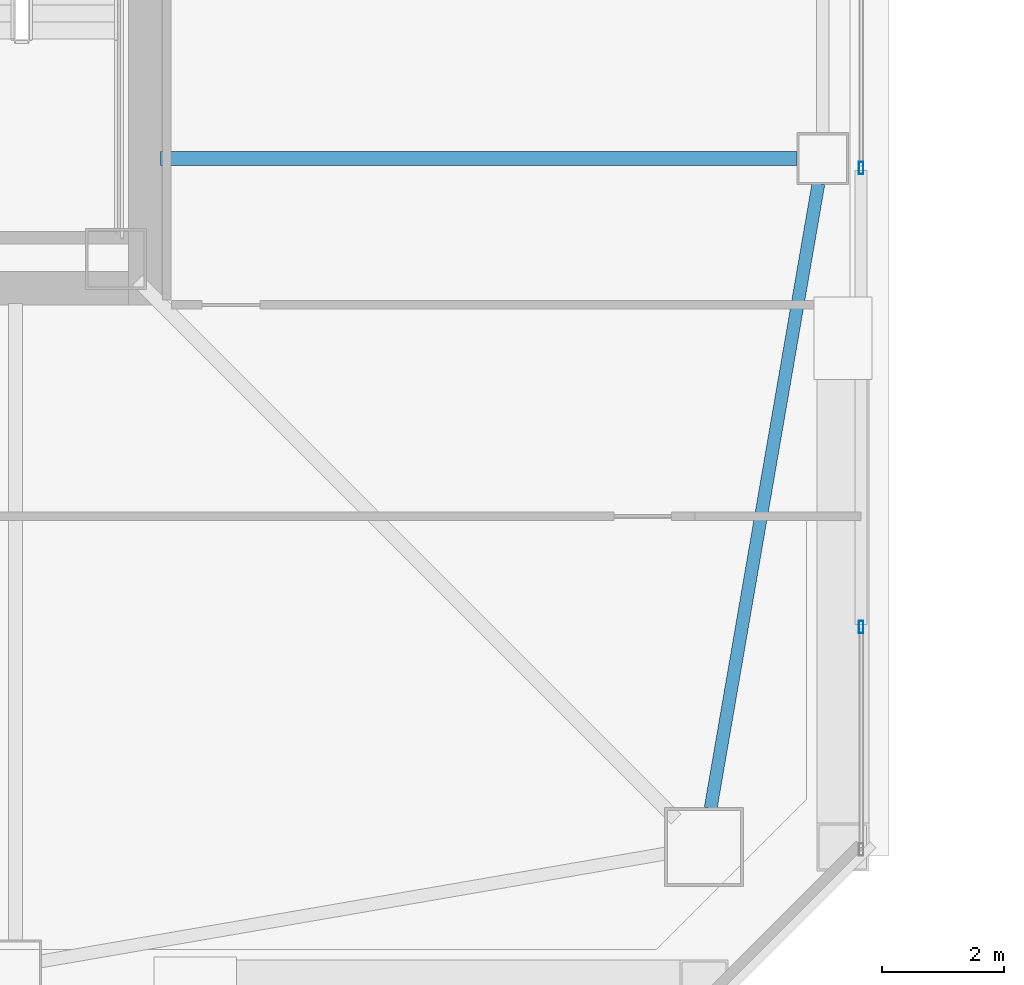
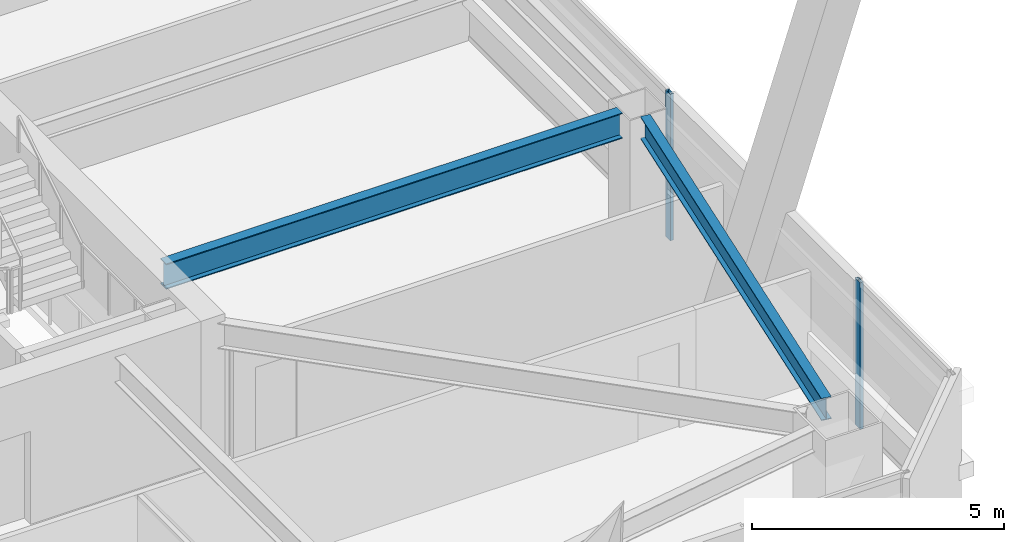
# One storey, part 14 of 54: 2 beams, 2 members, 2 elements without a shape of their own.
"""IFC4 building model written with IfcOpenShell, lengths in metres."""

from ifc_helpers import new_model, si_unit, direction, frame, origin, origin_2d, place, context, subcontext, project, spatial, hollow_rectangle, i_section, extrude, material, material_profile, profile_set, type_object, element, aggregate, save


model = new_model("IFC4")

# Units and contexts
model_context = context("Model", 3, precision=1e-05, world=origin(), true_north=direction((0.0, 1.0)))
body_context = subcontext(model_context, "Body", "Model", "MODEL_VIEW")
ifc_project = project(units=[si_unit("LENGTHUNIT", "METRE"), si_unit("AREAUNIT", "SQUARE_METRE"), si_unit("VOLUMEUNIT", "CUBIC_METRE"), si_unit("PLANEANGLEUNIT", "RADIAN"), si_unit("MASSUNIT", "GRAM", prefix="KILO")], contexts=[model_context])

# Site, building, storey
site_placement = place(None, origin())
site = spatial("IfcSite", under=ifc_project, at=site_placement, CompositionType="ELEMENT")
building_placement = place(site_placement, origin())
building = spatial("IfcBuilding", under=site, at=building_placement, Name="Tashvorn Skyway Center", CompositionType="ELEMENT")
storey_placement = place(building_placement, frame((0.0, 0.0, 135.699951171875)))
storey = spatial("IfcBuildingStorey", under=building, at=storey_placement, Name="L36", CompositionType="ELEMENT", Elevation=135.699951171875)

# Beams
ifc_material_1 = material(Name="Steel ASTM A992 Grade 50", Category="steel")
ifc_material_profile_1 = material_profile(ifc_material_1, i_section(OverallWidth=0.22998046875, OverallDepth=0.616943359375, WebThickness=0.01318359375, FlangeThickness=0.022216796875, at=origin_2d()), Name="W24X94")
ifc_profile_set_1 = profile_set([ifc_material_profile_1], Name="Steel ASTM A992 Grade 50")
beam_type_1 = type_object("IfcBeamType", Name="BM-BEAM-W24X94", PredefinedType="BEAM", material=ifc_profile_set_1)
beam_1_placement = place(storey_placement, frame((60.22998046875, 26.60009765625, 3.0615234375), z_axis=(-1.0, 0.0, 0.0), x_axis=(0.0, -1.0, 0.0)))
element("IfcBeam", 1, at=beam_1_placement, inside=storey, type_object=beam_type_1, Name="Tower 1 L36 Primary Floor Girder FC-E1", PredefinedType="BEAM", context=body_context, shape_type="SweptSolid", body=[
    extrude(i_section(OverallWidth=0.22998046875, OverallDepth=0.616943359375, WebThickness=0.01318359375, FlangeThickness=0.022216796875, at=origin_2d()), origin(), (0.0, 0.0, 1.0), 10.449951171875),
])
ifc_material_profile_2 = material_profile(ifc_material_1, i_section(OverallWidth=0.2109375, OverallDepth=0.5390625, WebThickness=0.01171875, FlangeThickness=0.018798828125, at=origin_2d()), Name="W21X73")
ifc_profile_set_2 = profile_set([ifc_material_profile_2], Name="Steel ASTM A992 Grade 50")
beam_type_2 = type_object("IfcBeamType", Name="BM-SPANDREL-W21X73", PredefinedType="SPANDREL", material=ifc_profile_set_2)
beam_2_placement = place(storey_placement, frame((58.8095703125, 15.935546875, 3.1005859375), z_axis=(0.170067250846, 0.985432458462, 0.0), x_axis=(-0.985432458462, 0.170067250846, 0.0)))
element("IfcBeam", 2, at=beam_2_placement, inside=storey, type_object=beam_type_2, Name="Tower 1 L36 Spandrel Beam 04", PredefinedType="SPANDREL", context=body_context, shape_type="SweptSolid", body=[
    extrude(i_section(OverallWidth=0.2109375, OverallDepth=0.5390625, WebThickness=0.01171875, FlangeThickness=0.018798828125, at=origin_2d()), origin(), (0.0, 0.0, 1.0), 10.402099609375),
])

# Curtain wall, member
ifc_material_2 = material(Name="Thermally broken bronze-anodized aluminium 6063-T6", Category="aluminium")
curtain_wall_type = type_object("IfcCurtainWallType", Name="CW-CW-Z3", PredefinedType="NOTDEFINED", material=ifc_material_2)
curtain_wall_1_placement = place(storey_placement, origin())
curtain_wall_1 = element("IfcCurtainWall", 3, at=curtain_wall_1_placement, inside=storey, type_object=curtain_wall_type, Name="Tower 1 L36 East Unitised Curtain Wall Glazing Group 2", PredefinedType="NOTDEFINED")
ifc_material_profile_3 = material_profile(ifc_material_2, hollow_rectangle(XDim=0.074951171875, YDim=0.199951171875, WallThickness=0.00439453125, at=origin_2d()), Name="ALU-MULL-75x200")
ifc_profile_set_3 = profile_set([ifc_material_profile_3], Name="Thermally broken bronze-anodized aluminium 6063-T6")
member_type = type_object("IfcMemberType", Name="CWM-CW-Z3", PredefinedType="MULLION", material=ifc_profile_set_3)
member_1_placement = place(storey_placement, frame((61.280029296875, 26.444091796875, 0.0), z_axis=(0.0, 0.0, 1.0), x_axis=(1.0, 0.0, 0.0)))
member_1 = element("IfcMember", 4, at=member_1_placement, type_object=member_type, Name="CW-Z3 mullion 2", PredefinedType="MULLION", context=body_context, shape_type="SweptSolid", body=[
    extrude(hollow_rectangle(XDim=0.074951171875, YDim=0.199951171875, WallThickness=0.00439453125, at=origin_2d()), origin(), (0.0, 0.0, 1.0), 3.550048828125),
])
aggregate(curtain_wall_1, [member_1])

curtain_wall_2_placement = place(storey_placement, origin())
curtain_wall_2 = element("IfcCurtainWall", 5, at=curtain_wall_2_placement, inside=storey, type_object=curtain_wall_type, Name="Tower 1 L36 East Unitised Curtain Wall Glazing Group 3", PredefinedType="NOTDEFINED")
member_2_placement = place(storey_placement, frame((61.280029296875, 18.911376953125, 0.0), z_axis=(0.0, 0.0, 1.0), x_axis=(1.0, 0.0, 0.0)))
member_2 = element("IfcMember", 6, at=member_2_placement, type_object=member_type, Name="CW-Z3 mullion 1", PredefinedType="MULLION", context=body_context, shape_type="SweptSolid", body=[
    extrude(hollow_rectangle(XDim=0.074951171875, YDim=0.199951171875, WallThickness=0.00439453125, at=origin_2d()), origin(), (0.0, 0.0, 1.0), 3.550048828125),
])
aggregate(curtain_wall_2, [member_2])

save(model, "model.ifc")
